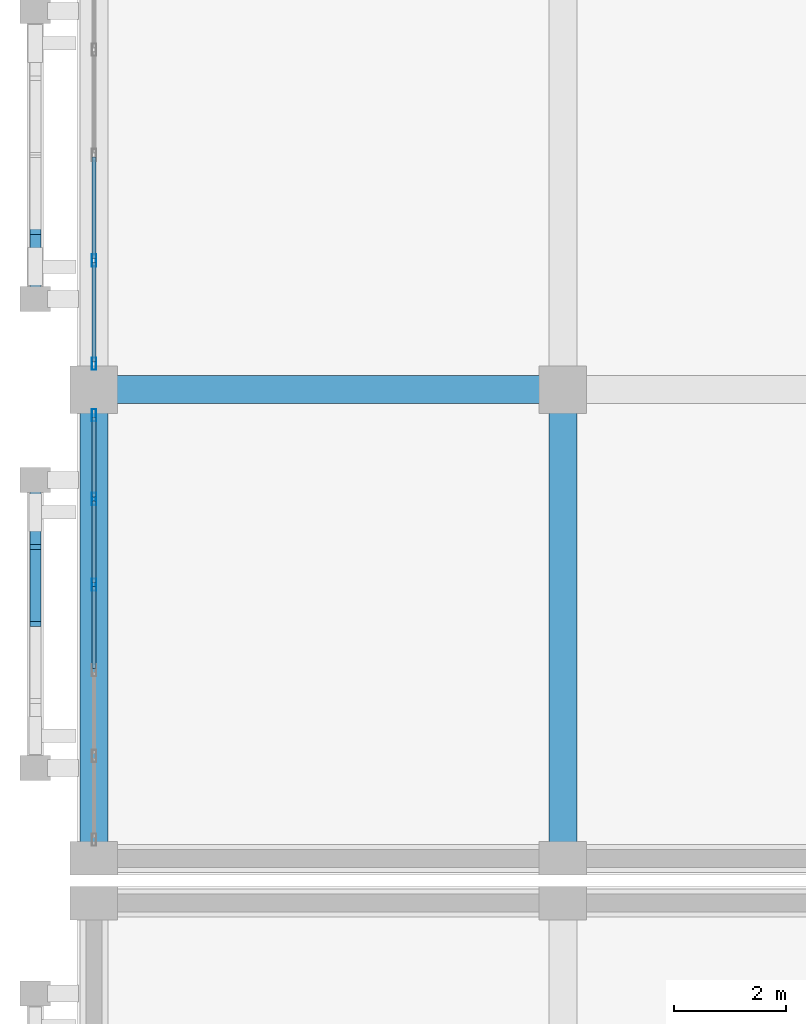
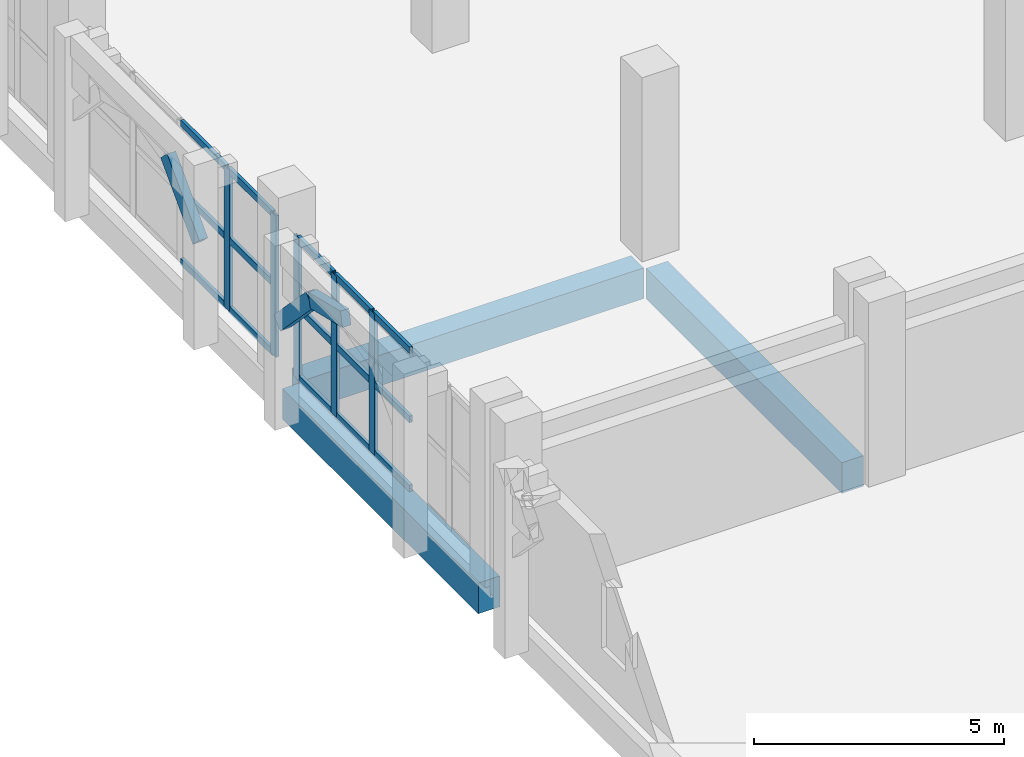
# One storey, part 23 of 137: 23 members, 3 beams, 2 elements without a shape of their own.
"""IFC4 building model written with IfcOpenShell, lengths in metres."""

from ifc_helpers import new_model, si_unit, direction, frame, origin, origin_2d, place, context, subcontext, project, spatial, rectangle, hollow_rectangle, extrude, material, layer, layer_set, material_profile, profile_set, type_object, element, aggregate, save


model = new_model("IFC4")

# Units and contexts
model_context = context("Model", 3, precision=1e-05, world=origin(), true_north=direction((0.0, 1.0)))
body_context = subcontext(model_context, "Body", "Model", "MODEL_VIEW")
ifc_project = project(units=[si_unit("LENGTHUNIT", "METRE"), si_unit("AREAUNIT", "SQUARE_METRE"), si_unit("VOLUMEUNIT", "CUBIC_METRE"), si_unit("PLANEANGLEUNIT", "RADIAN"), si_unit("MASSUNIT", "GRAM", prefix="KILO")], contexts=[model_context])

# Site, building, storey
site_placement = place(None, origin())
site = spatial("IfcSite", under=ifc_project, at=site_placement, CompositionType="ELEMENT")
building_placement = place(site_placement, origin())
building = spatial("IfcBuilding", under=site, at=building_placement, Name="Xazarin Passage Department Store", CompositionType="ELEMENT")
storey_placement = place(building_placement, frame((0.0, 0.0, 5.39990234375)))
storey = spatial("IfcBuildingStorey", under=building, at=storey_placement, Name="L01", CompositionType="ELEMENT", Elevation=5.39990234375)

# Curtain wall, members
ifc_material_1 = material(Name="Bronze anodised aluminium", Category="aluminium")
ifc_layer = layer(ifc_material_1, 0.179931640625)
ifc_layer_set = layer_set([ifc_layer], Name="Bronze anodised aluminium")
curtain_wall_type = type_object("IfcCurtainWallType", Name="ARC-CW-VIT1", PredefinedType="NOTDEFINED", material=ifc_layer_set)
curtain_wall_1_placement = place(storey_placement, origin())
curtain_wall_1 = element("IfcCurtainWall", 1, at=curtain_wall_1_placement, inside=storey, type_object=curtain_wall_type, Name="L01 V1 Curtain Wall 018", PredefinedType="NOTDEFINED")
ifc_material_profile_1 = material_profile(ifc_material_1, hollow_rectangle(XDim=0.074951171875, YDim=0.219970703125, WallThickness=0.0048828125, at=origin_2d()), Name="ALU 75x220")
ifc_profile_set_1 = profile_set([ifc_material_profile_1], Name="Bronze anodised aluminium")
member_type_1 = type_object("IfcMemberType", Name="ARC-CWM-75x220", PredefinedType="MULLION", material=ifc_profile_set_1)
member_1_placement = place(storey_placement, frame((0.0, 56.10498046875, 0.0), z_axis=(0.0, 0.0, 1.0), x_axis=(-1.0, 0.0, 0.0)))
member_1 = element("IfcMember", 2, at=member_1_placement, type_object=member_type_1, Name="CW1 mullion 4", PredefinedType="MULLION", context=body_context, shape_type="SweptSolid", body=[
    extrude(hollow_rectangle(XDim=0.074951171875, YDim=0.219970703125, WallThickness=0.0048828125, at=origin_2d()), origin(), (0.0, 0.0, 1.0), 3.4501953125),
])
member_2_placement = place(storey_placement, frame((0.0, 57.639892578125, 0.0), z_axis=(0.0, 0.0, 1.0), x_axis=(-1.0, 0.0, 0.0)))
member_2 = element("IfcMember", 3, at=member_2_placement, type_object=member_type_1, Name="CW1 mullion 5", PredefinedType="MULLION", context=body_context, shape_type="SweptSolid", body=[
    extrude(hollow_rectangle(XDim=0.074951171875, YDim=0.219970703125, WallThickness=0.0048828125, at=origin_2d()), origin(), (0.0, 0.0, 1.0), 3.4501953125),
])
member_3_placement = place(storey_placement, frame((0.0, 59.137451171875, 0.0), z_axis=(0.0, 0.0, 1.0), x_axis=(-1.0, 0.0, 0.0)))
member_3 = element("IfcMember", 4, at=member_3_placement, type_object=member_type_1, Name="CW1 mullion 6", PredefinedType="MULLION", context=body_context, shape_type="SweptSolid", body=[
    extrude(hollow_rectangle(XDim=0.074951171875, YDim=0.219970703125, WallThickness=0.0048828125, at=origin_2d()), origin(), (0.0, 0.0, 1.0), 3.4501953125),
])

curtain_wall_2_placement = place(storey_placement, origin())
curtain_wall_2 = element("IfcCurtainWall", 5, at=curtain_wall_2_placement, inside=storey, type_object=curtain_wall_type, Name="L01 V1 Curtain Wall 019", PredefinedType="NOTDEFINED")
member_4_placement = place(storey_placement, frame((0.0, 60.0625, 0.0), z_axis=(0.0, 0.0, 1.0), x_axis=(-1.0, 0.0, 0.0)))
member_4 = element("IfcMember", 6, at=member_4_placement, type_object=member_type_1, Name="CW1 mullion 1", PredefinedType="MULLION", context=body_context, shape_type="SweptSolid", body=[
    extrude(hollow_rectangle(XDim=0.074951171875, YDim=0.219970703125, WallThickness=0.0048828125, at=origin_2d()), origin(), (0.0, 0.0, 1.0), 3.4501953125),
])
member_5_placement = place(storey_placement, frame((0.0, 61.91259765625, 0.0), z_axis=(0.0, 0.0, 1.0), x_axis=(-1.0, 0.0, 0.0)))
member_5 = element("IfcMember", 7, at=member_5_placement, type_object=member_type_1, Name="CW1 mullion 2", PredefinedType="MULLION", context=body_context, shape_type="SweptSolid", body=[
    extrude(hollow_rectangle(XDim=0.074951171875, YDim=0.219970703125, WallThickness=0.0048828125, at=origin_2d()), origin(), (0.0, 0.0, 1.0), 3.4501953125),
])

# Member
ifc_material_profile_2 = material_profile(ifc_material_1, hollow_rectangle(XDim=0.074951171875, YDim=0.159912109375, WallThickness=0.00439453125, at=origin_2d()), Name="ALU 75x160")
ifc_profile_set_2 = profile_set([ifc_material_profile_2], Name="Bronze anodised aluminium")
member_type_2 = type_object("IfcMemberType", Name="ARC-CWT-75x160", PredefinedType="USERDEFINED", material=ifc_profile_set_2)
member_6_placement = place(storey_placement, frame((0.0, 54.607421875, 0.03759765625), z_axis=(0.0, 1.0, 0.0), x_axis=(-1.0, 0.0, 0.0)))
member_6 = element("IfcMember", 8, at=member_6_placement, type_object=member_type_2, Name="CW1 transom 3.1", ObjectType="TRANSOM", PredefinedType="USERDEFINED", context=body_context, shape_type="SweptSolid", body=[
    extrude(hollow_rectangle(XDim=0.074951171875, YDim=0.159912109375, WallThickness=0.00439453125, at=origin_2d()), origin(), (0.0, 0.0, 1.0), 1.4599609375),
])

member_7_placement = place(storey_placement, frame((0.0, 54.607421875, 1.72509765625), z_axis=(0.0, 1.0, 0.0), x_axis=(-1.0, 0.0, 0.0)))
member_7 = element("IfcMember", 9, at=member_7_placement, type_object=member_type_2, Name="CW1 transom 3.2", ObjectType="TRANSOM", PredefinedType="USERDEFINED", context=body_context, shape_type="SweptSolid", body=[
    extrude(hollow_rectangle(XDim=0.074951171875, YDim=0.159912109375, WallThickness=0.00439453125, at=origin_2d()), origin(), (0.0, 0.0, 1.0), 1.4599609375),
])

member_8_placement = place(storey_placement, frame((0.0, 54.607421875, 3.41259765625), z_axis=(0.0, 1.0, 0.0), x_axis=(-1.0, 0.0, 0.0)))
member_8 = element("IfcMember", 10, at=member_8_placement, type_object=member_type_2, Name="CW1 transom 3.3", ObjectType="TRANSOM", PredefinedType="USERDEFINED", context=body_context, shape_type="SweptSolid", body=[
    extrude(hollow_rectangle(XDim=0.074951171875, YDim=0.159912109375, WallThickness=0.00439453125, at=origin_2d()), origin(), (0.0, 0.0, 1.0), 1.4599609375),
])

member_9_placement = place(storey_placement, frame((0.0, 56.142578125, 0.03759765625), z_axis=(0.0, 1.0, 0.0), x_axis=(-1.0, 0.0, 0.0)))
member_9 = element("IfcMember", 11, at=member_9_placement, type_object=member_type_2, Name="CW1 transom 4.1", ObjectType="TRANSOM", PredefinedType="USERDEFINED", context=body_context, shape_type="SweptSolid", body=[
    extrude(hollow_rectangle(XDim=0.074951171875, YDim=0.159912109375, WallThickness=0.00439453125, at=origin_2d()), origin(), (0.0, 0.0, 1.0), 1.4599609375),
])

member_10_placement = place(storey_placement, frame((0.0, 56.142578125, 1.72509765625), z_axis=(0.0, 1.0, 0.0), x_axis=(-1.0, 0.0, 0.0)))
member_10 = element("IfcMember", 12, at=member_10_placement, type_object=member_type_2, Name="CW1 transom 4.2", ObjectType="TRANSOM", PredefinedType="USERDEFINED", context=body_context, shape_type="SweptSolid", body=[
    extrude(hollow_rectangle(XDim=0.074951171875, YDim=0.159912109375, WallThickness=0.00439453125, at=origin_2d()), origin(), (0.0, 0.0, 1.0), 1.4599609375),
])

member_11_placement = place(storey_placement, frame((0.0, 56.142578125, 3.41259765625), z_axis=(0.0, 1.0, 0.0), x_axis=(-1.0, 0.0, 0.0)))
member_11 = element("IfcMember", 13, at=member_11_placement, type_object=member_type_2, Name="CW1 transom 4.3", ObjectType="TRANSOM", PredefinedType="USERDEFINED", context=body_context, shape_type="SweptSolid", body=[
    extrude(hollow_rectangle(XDim=0.074951171875, YDim=0.159912109375, WallThickness=0.00439453125, at=origin_2d()), origin(), (0.0, 0.0, 1.0), 1.4599609375),
])

member_12_placement = place(storey_placement, frame((0.0, 57.677490234375, 0.03759765625), z_axis=(0.0, 1.0, 0.0), x_axis=(-1.0, 0.0, 0.0)))
member_12 = element("IfcMember", 14, at=member_12_placement, type_object=member_type_2, Name="CW1 transom 5.1", ObjectType="TRANSOM", PredefinedType="USERDEFINED", context=body_context, shape_type="SweptSolid", body=[
    extrude(hollow_rectangle(XDim=0.074951171875, YDim=0.159912109375, WallThickness=0.00439453125, at=origin_2d()), origin(), (0.0, 0.0, 1.0), 1.422607421875),
])

member_13_placement = place(storey_placement, frame((0.0, 57.677490234375, 1.72509765625), z_axis=(0.0, 1.0, 0.0), x_axis=(-1.0, 0.0, 0.0)))
member_13 = element("IfcMember", 15, at=member_13_placement, type_object=member_type_2, Name="CW1 transom 5.2", ObjectType="TRANSOM", PredefinedType="USERDEFINED", context=body_context, shape_type="SweptSolid", body=[
    extrude(hollow_rectangle(XDim=0.074951171875, YDim=0.159912109375, WallThickness=0.00439453125, at=origin_2d()), origin(), (0.0, 0.0, 1.0), 1.422607421875),
])

member_14_placement = place(storey_placement, frame((0.0, 57.677490234375, 3.41259765625), z_axis=(0.0, 1.0, 0.0), x_axis=(-1.0, 0.0, 0.0)))
member_14 = element("IfcMember", 16, at=member_14_placement, type_object=member_type_2, Name="CW1 transom 5.3", ObjectType="TRANSOM", PredefinedType="USERDEFINED", context=body_context, shape_type="SweptSolid", body=[
    extrude(hollow_rectangle(XDim=0.074951171875, YDim=0.159912109375, WallThickness=0.00439453125, at=origin_2d()), origin(), (0.0, 0.0, 1.0), 1.422607421875),
])

aggregate(curtain_wall_1, [member_1, member_2, member_3, member_6, member_7, member_8, member_9, member_10, member_11, member_12, member_13, member_14])

member_15_placement = place(storey_placement, frame((0.0, 60.10009765625, 0.03759765625), z_axis=(0.0, 1.0, 0.0), x_axis=(-1.0, 0.0, 0.0)))
member_15 = element("IfcMember", 17, at=member_15_placement, type_object=member_type_2, Name="CW1 transom 1.1", ObjectType="TRANSOM", PredefinedType="USERDEFINED", context=body_context, shape_type="SweptSolid", body=[
    extrude(hollow_rectangle(XDim=0.074951171875, YDim=0.159912109375, WallThickness=0.00439453125, at=origin_2d()), origin(), (0.0, 0.0, 1.0), 1.77490234375),
])

member_16_placement = place(storey_placement, frame((0.0, 60.10009765625, 1.72509765625), z_axis=(0.0, 1.0, 0.0), x_axis=(-1.0, 0.0, 0.0)))
member_16 = element("IfcMember", 18, at=member_16_placement, type_object=member_type_2, Name="CW1 transom 1.2", ObjectType="TRANSOM", PredefinedType="USERDEFINED", context=body_context, shape_type="SweptSolid", body=[
    extrude(hollow_rectangle(XDim=0.074951171875, YDim=0.159912109375, WallThickness=0.00439453125, at=origin_2d()), origin(), (0.0, 0.0, 1.0), 1.77490234375),
])

member_17_placement = place(storey_placement, frame((0.0, 60.10009765625, 3.41259765625), z_axis=(0.0, 1.0, 0.0), x_axis=(-1.0, 0.0, 0.0)))
member_17 = element("IfcMember", 19, at=member_17_placement, type_object=member_type_2, Name="CW1 transom 1.3", ObjectType="TRANSOM", PredefinedType="USERDEFINED", context=body_context, shape_type="SweptSolid", body=[
    extrude(hollow_rectangle(XDim=0.074951171875, YDim=0.159912109375, WallThickness=0.00439453125, at=origin_2d()), origin(), (0.0, 0.0, 1.0), 1.77490234375),
])

member_18_placement = place(storey_placement, frame((0.0, 61.949951171875, 0.03759765625), z_axis=(0.0, 1.0, 0.0), x_axis=(-1.0, 0.0, 0.0)))
member_18 = element("IfcMember", 20, at=member_18_placement, type_object=member_type_2, Name="CW1 transom 2.1", ObjectType="TRANSOM", PredefinedType="USERDEFINED", context=body_context, shape_type="SweptSolid", body=[
    extrude(hollow_rectangle(XDim=0.074951171875, YDim=0.159912109375, WallThickness=0.00439453125, at=origin_2d()), origin(), (0.0, 0.0, 1.0), 1.8125),
])

member_19_placement = place(storey_placement, frame((0.0, 61.949951171875, 1.72509765625), z_axis=(0.0, 1.0, 0.0), x_axis=(-1.0, 0.0, 0.0)))
member_19 = element("IfcMember", 21, at=member_19_placement, type_object=member_type_2, Name="CW1 transom 2.2", ObjectType="TRANSOM", PredefinedType="USERDEFINED", context=body_context, shape_type="SweptSolid", body=[
    extrude(hollow_rectangle(XDim=0.074951171875, YDim=0.159912109375, WallThickness=0.00439453125, at=origin_2d()), origin(), (0.0, 0.0, 1.0), 1.8125),
])

member_20_placement = place(storey_placement, frame((0.0, 61.949951171875, 3.41259765625), z_axis=(0.0, 1.0, 0.0), x_axis=(-1.0, 0.0, 0.0)))
member_20 = element("IfcMember", 22, at=member_20_placement, type_object=member_type_2, Name="CW1 transom 2.3", ObjectType="TRANSOM", PredefinedType="USERDEFINED", context=body_context, shape_type="SweptSolid", body=[
    extrude(hollow_rectangle(XDim=0.074951171875, YDim=0.159912109375, WallThickness=0.00439453125, at=origin_2d()), origin(), (0.0, 0.0, 1.0), 1.8125),
])

aggregate(curtain_wall_2, [member_4, member_5, member_15, member_16, member_17, member_18, member_19, member_20])

# Beams
ifc_material_2 = material(Name="Concrete C35/45", Category="concrete")
ifc_material_profile_3 = material_profile(ifc_material_2, rectangle(XDim=0.5, YDim=0.75, at=origin_2d()), Name="RC 500x750")
ifc_profile_set_3 = profile_set([ifc_material_profile_3], Name="Concrete C35/45")
beam_type = type_object("IfcBeamType", Name="STR-BM-SP500x750", PredefinedType="SPANDREL", material=ifc_profile_set_3)
for number, where, z_axis, x_axis, name in (
    (23, (0.280029296875, 59.60009765625, -0.6748046875), (1.0, 0.0, 0.0), (0.0, 1.0, 0.0), "L01 Grid Beam J/1-2"),
    (24, (0.0, 51.47998046875, -0.6748046875), (0.0, 1.0, 0.0), (-1.0, 0.0, 0.0), "L01 Grid Beam 1/H-J"),
    (25, (8.39990234375, 51.47998046875, -0.6748046875), (0.0, 1.0, 0.0), (-1.0, 0.0, 0.0), "L01 Grid Beam 2/H-J"),
):
    element("IfcBeam", number, at=place(storey_placement, frame(where, z_axis=z_axis, x_axis=x_axis)), inside=storey, type_object=beam_type, Name=name, PredefinedType="SPANDREL", context=body_context, shape_type="SweptSolid", body=[
        extrude(rectangle(XDim=0.5, YDim=0.75, at=origin_2d()), origin(), (0.0, 0.0, 1.0), 7.840087890625),
    ])

# Members
ifc_material_3 = material(Name="Concrete C40/50", Category="concrete")
ifc_material_profile_4 = material_profile(ifc_material_3, rectangle(XDim=0.199951171875, YDim=0.360107421875, at=origin_2d()), Name="RC 200x360")
ifc_profile_set_4 = profile_set([ifc_material_profile_4], Name="Concrete C40/50")
member_type_3 = type_object("IfcMemberType", Name="STR-MEM-ARC360", PredefinedType="CHORD", material=ifc_profile_set_4)
member_21_placement = place(storey_placement, frame((-1.050048828125, 55.39990234375, 4.080078125), z_axis=(0.0, 0.972393983317, -0.233345111818), x_axis=(-1.0, 0.0, 0.0)))
element("IfcMember", 26, at=member_21_placement, inside=storey, type_object=member_type_3, Name="L01 V1 Pierced Lattice Curved Arch 008.3", PredefinedType="CHORD", context=body_context, shape_type="SweptSolid", body=[
    extrude(rectangle(XDim=0.199951171875, YDim=0.360107421875, at=origin_2d()), origin(), (0.0, 0.0, 1.0), 1.32666015625),
])
for number, where, z_axis, x_axis, name in (
    (27, (-1.050048828125, 56.68994140625, 3.7705078125), (0.0, 0.693460080602, -0.720495049679), (-1.0, 0.0, 0.0), "L01 V1 Pierced Lattice Curved Arch 008.4"),
    (28, (-1.050048828125, 61.219970703125, 2.43017578125), (0.0, 0.693460080602, 0.720495049679), (-1.0, 0.0, 0.0), "L01 V1 Pierced Lattice Curved Arch 009.1"),
):
    element("IfcMember", number, at=place(storey_placement, frame(where, z_axis=z_axis, x_axis=x_axis)), inside=storey, type_object=member_type_3, Name=name, PredefinedType="CHORD", context=body_context, shape_type="SweptSolid", body=[
        extrude(rectangle(XDim=0.199951171875, YDim=0.360107421875, at=origin_2d()), origin(), (0.0, 0.0, 1.0), 1.8603515625),
    ])

save(model, "model.ifc")
